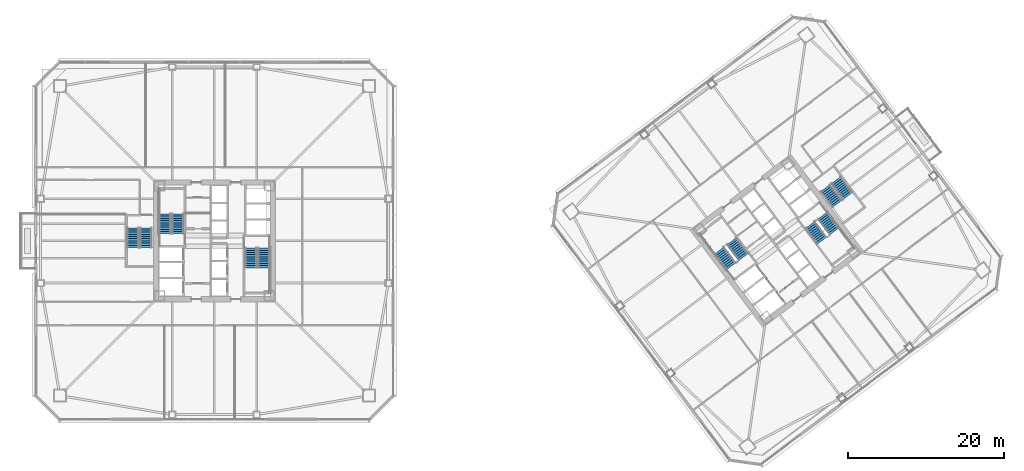
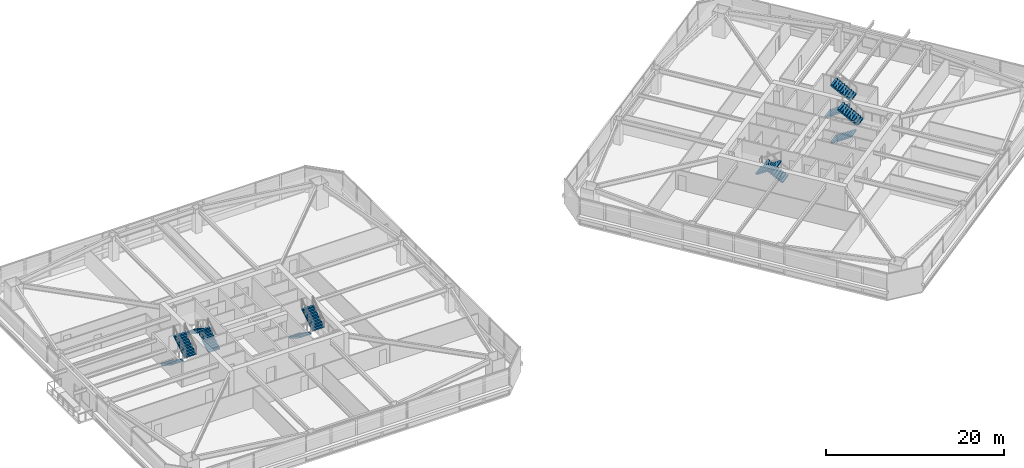
# One storey, part 39 of 47: 12 stair flights, 6 elements without a shape of their own.
"""IFC4 building model written with IfcOpenShell, lengths in metres."""

from ifc_helpers import new_model, si_unit, direction, frame, origin, place, context, subcontext, project, spatial, polyline, outline, extrude, material, type_object, element, aggregate, save


model = new_model("IFC4")

# Units and contexts
model_context = context("Model", 3, precision=1e-05, world=origin(), true_north=direction((0.0, 1.0)))
body_context = subcontext(model_context, "Body", "Model", "MODEL_VIEW")
ifc_project = project(units=[si_unit("LENGTHUNIT", "METRE"), si_unit("AREAUNIT", "SQUARE_METRE"), si_unit("VOLUMEUNIT", "CUBIC_METRE"), si_unit("PLANEANGLEUNIT", "RADIAN"), si_unit("MASSUNIT", "GRAM", prefix="KILO")], contexts=[model_context])

# Site, building, storey
site_placement = place(None, origin())
site = spatial("IfcSite", under=ifc_project, at=site_placement, CompositionType="ELEMENT")
building_placement = place(site_placement, origin())
building = spatial("IfcBuilding", under=site, at=building_placement, Name="Tashvorn Skyway Center", CompositionType="ELEMENT")
storey_placement = place(building_placement, frame((0.0, 0.0, 42.35009765625)))
storey = spatial("IfcBuildingStorey", under=building, at=storey_placement, Name="L10", CompositionType="ELEMENT", Elevation=42.35009765625)

# Stair, stair flights
ifc_material = material(Name="Concrete C40/50", Category="concrete")
stair_type = type_object("IfcStairType", Name="STAIR-CORE-1500", PredefinedType="HALF_TURN_STAIR", material=ifc_material)
stair_1_placement = place(storey_placement, origin())
stair_1 = element("IfcStair", 1, at=stair_1_placement, inside=storey, type_object=stair_type, Name="L10 Tower 1 Exit Stair 1", PredefinedType="HALF_TURN_STAIR")
stair_flight_type = type_object("IfcStairFlightType", Name="SFLIGHT-1500", PredefinedType="STRAIGHT", material=ifc_material)
stair_flight_1_placement = place(storey_placement, frame((37.35009765625, 32.919921875, 0.0), z_axis=(0.0, 0.0, 1.0), x_axis=(0.0, 1.0, 0.0)))
stair_flight_1 = element("IfcStairFlight", 2, at=stair_flight_1_placement, type_object=stair_flight_type, Name="ST-T1-1 flight 1", NumberOfRisers=10, NumberOfTreads=9, PredefinedType="STRAIGHT", RiserHeight=0.1775, TreadLength=0.28, context=body_context, shape_type="SweptSolid", body=[
    extrude(outline(polyline([(0.0, 0.0), (0.0, 0.177490234375), (0.280029296875, 0.177490234375), (0.280029296875, 0.35498046875), (0.56005859375, 0.35498046875), (0.56005859375, 0.532470703125), (0.840087890625, 0.532470703125), (0.840087890625, 0.7099609375), (1.1201171875, 0.7099609375), (1.1201171875, 0.887451171875), (1.39990234375, 0.887451171875), (1.39990234375, 1.06494140625), (1.679931640625, 1.06494140625), (1.679931640625, 1.242431640625), (1.9599609375, 1.242431640625), (1.9599609375, 1.419921875), (2.239990234375, 1.419921875), (2.239990234375, 1.597412109375), (2.52001953125, 1.597412109375), (2.52001953125, 1.77490234375), (2.52001953125, 1.419921875), (0.280029296875, 0.0), (0.0, 0.0)])), frame((0.0, 0.75, 0.0), z_axis=(0.0, -1.0, 0.0), x_axis=(1.0, 0.0, 0.0)), (0.0, 0.0, 1.0), 1.5),
])
stair_flight_2_placement = place(storey_placement, frame((35.64990234375, 35.43994140625, 1.77490234375), z_axis=(0.0, 0.0, 1.0), x_axis=(0.0, -1.0, 0.0)))
stair_flight_2 = element("IfcStairFlight", 3, at=stair_flight_2_placement, type_object=stair_flight_type, Name="ST-T1-1 flight 2", NumberOfRisers=10, NumberOfTreads=9, PredefinedType="STRAIGHT", RiserHeight=0.1775, TreadLength=0.28, context=body_context, shape_type="SweptSolid", body=[
    extrude(outline(polyline([(0.0, 0.0), (0.0, 0.177490234375), (0.280029296875, 0.177490234375), (0.280029296875, 0.35498046875), (0.56005859375, 0.35498046875), (0.56005859375, 0.532470703125), (0.840087890625, 0.532470703125), (0.840087890625, 0.7099609375), (1.1201171875, 0.7099609375), (1.1201171875, 0.887451171875), (1.39990234375, 0.887451171875), (1.39990234375, 1.06494140625), (1.679931640625, 1.06494140625), (1.679931640625, 1.242431640625), (1.9599609375, 1.242431640625), (1.9599609375, 1.419921875), (2.239990234375, 1.419921875), (2.239990234375, 1.597412109375), (2.52001953125, 1.597412109375), (2.52001953125, 1.77490234375), (2.52001953125, 1.419921875), (0.280029296875, 0.0), (0.0, 0.0)])), frame((0.0, 0.75, 0.0), z_axis=(0.0, -1.0, 0.0), x_axis=(1.0, 0.0, 0.0)), (0.0, 0.0, 1.0), 1.5),
])
aggregate(stair_1, [stair_flight_1, stair_flight_2])

stair_2_placement = place(storey_placement, origin())
stair_2 = element("IfcStair", 4, at=stair_2_placement, inside=storey, type_object=stair_type, Name="L10 Tower 1 Exit Stair 2", PredefinedType="HALF_TURN_STAIR")
stair_flight_3_placement = place(storey_placement, frame((46.64990234375, 31.080078125, 0.0), z_axis=(0.0, 0.0, 1.0), x_axis=(0.0, -1.0, 0.0)))
stair_flight_3 = element("IfcStairFlight", 5, at=stair_flight_3_placement, type_object=stair_flight_type, Name="ST-T1-2 flight 1", NumberOfRisers=10, NumberOfTreads=9, PredefinedType="STRAIGHT", RiserHeight=0.1775, TreadLength=0.28, context=body_context, shape_type="SweptSolid", body=[
    extrude(outline(polyline([(0.0, 0.0), (0.0, 0.177490234375), (0.280029296875, 0.177490234375), (0.280029296875, 0.35498046875), (0.56005859375, 0.35498046875), (0.56005859375, 0.532470703125), (0.840087890625, 0.532470703125), (0.840087890625, 0.7099609375), (1.1201171875, 0.7099609375), (1.1201171875, 0.887451171875), (1.39990234375, 0.887451171875), (1.39990234375, 1.06494140625), (1.679931640625, 1.06494140625), (1.679931640625, 1.242431640625), (1.9599609375, 1.242431640625), (1.9599609375, 1.419921875), (2.239990234375, 1.419921875), (2.239990234375, 1.597412109375), (2.52001953125, 1.597412109375), (2.52001953125, 1.77490234375), (2.52001953125, 1.419921875), (0.280029296875, 0.0), (0.0, 0.0)])), frame((0.0, 0.75, 0.0), z_axis=(0.0, -1.0, 0.0), x_axis=(1.0, 0.0, 0.0)), (0.0, 0.0, 1.0), 1.5),
])
stair_flight_4_placement = place(storey_placement, frame((48.35009765625, 28.56005859375, 1.77490234375), z_axis=(0.0, 0.0, 1.0), x_axis=(0.0, 1.0, 0.0)))
stair_flight_4 = element("IfcStairFlight", 6, at=stair_flight_4_placement, type_object=stair_flight_type, Name="ST-T1-2 flight 2", NumberOfRisers=10, NumberOfTreads=9, PredefinedType="STRAIGHT", RiserHeight=0.1775, TreadLength=0.28, context=body_context, shape_type="SweptSolid", body=[
    extrude(outline(polyline([(0.0, 0.0), (0.0, 0.177490234375), (0.280029296875, 0.177490234375), (0.280029296875, 0.35498046875), (0.56005859375, 0.35498046875), (0.56005859375, 0.532470703125), (0.840087890625, 0.532470703125), (0.840087890625, 0.7099609375), (1.1201171875, 0.7099609375), (1.1201171875, 0.887451171875), (1.39990234375, 0.887451171875), (1.39990234375, 1.06494140625), (1.679931640625, 1.06494140625), (1.679931640625, 1.242431640625), (1.9599609375, 1.242431640625), (1.9599609375, 1.419921875), (2.239990234375, 1.419921875), (2.239990234375, 1.597412109375), (2.52001953125, 1.597412109375), (2.52001953125, 1.77490234375), (2.52001953125, 1.419921875), (0.280029296875, 0.0), (0.0, 0.0)])), frame((0.0, 0.75, 0.0), z_axis=(0.0, -1.0, 0.0), x_axis=(1.0, 0.0, 0.0)), (0.0, 0.0, 1.0), 1.5),
])
aggregate(stair_2, [stair_flight_3, stair_flight_4])

stair_3_placement = place(storey_placement, origin())
stair_3 = element("IfcStair", 7, at=stair_3_placement, inside=storey, type_object=stair_type, Name="L10 Tower 2 Exit Stair 1", PredefinedType="HALF_TURN_STAIR")
stair_flight_5_placement = place(storey_placement, frame((109.72802734375, 29.946044921875, 0.0), z_axis=(0.0, 0.0, 1.0), x_axis=(-0.600000004945, 0.799999996291, 0.0)))
stair_flight_5 = element("IfcStairFlight", 8, at=stair_flight_5_placement, type_object=stair_flight_type, Name="ST-T2-1 flight 1", NumberOfRisers=10, NumberOfTreads=9, PredefinedType="STRAIGHT", RiserHeight=0.1775, TreadLength=0.28, context=body_context, shape_type="SweptSolid", body=[
    extrude(outline(polyline([(0.0, 0.0), (0.0, 0.177490234375), (0.280029296875, 0.177490234375), (0.280029296875, 0.35498046875), (0.56005859375, 0.35498046875), (0.56005859375, 0.532470703125), (0.840087890625, 0.532470703125), (0.840087890625, 0.7099609375), (1.1201171875, 0.7099609375), (1.1201171875, 0.887451171875), (1.39990234375, 0.887451171875), (1.39990234375, 1.06494140625), (1.679931640625, 1.06494140625), (1.679931640625, 1.242431640625), (1.9599609375, 1.242431640625), (1.9599609375, 1.419921875), (2.239990234375, 1.419921875), (2.239990234375, 1.597412109375), (2.52001953125, 1.597412109375), (2.52001953125, 1.77490234375), (2.52001953125, 1.419921875), (0.280029296875, 0.0), (0.0, 0.0)])), frame((0.0, 0.75, 0.0), z_axis=(0.0, -1.0, 0.0), x_axis=(1.0, 0.0, 0.0)), (0.0, 0.0, 1.0), 1.5),
])
stair_flight_6_placement = place(storey_placement, frame((106.632080078125, 30.77392578125, 1.77490234375), z_axis=(0.0, 0.0, 1.0), x_axis=(0.600000004945, -0.799999996291, 0.0)))
stair_flight_6 = element("IfcStairFlight", 9, at=stair_flight_6_placement, type_object=stair_flight_type, Name="ST-T2-1 flight 2", NumberOfRisers=10, NumberOfTreads=9, PredefinedType="STRAIGHT", RiserHeight=0.1775, TreadLength=0.28, context=body_context, shape_type="SweptSolid", body=[
    extrude(outline(polyline([(0.0, 0.0), (0.0, 0.177490234375), (0.280029296875, 0.177490234375), (0.280029296875, 0.35498046875), (0.56005859375, 0.35498046875), (0.56005859375, 0.532470703125), (0.840087890625, 0.532470703125), (0.840087890625, 0.7099609375), (1.1201171875, 0.7099609375), (1.1201171875, 0.887451171875), (1.39990234375, 0.887451171875), (1.39990234375, 1.06494140625), (1.679931640625, 1.06494140625), (1.679931640625, 1.242431640625), (1.9599609375, 1.242431640625), (1.9599609375, 1.419921875), (2.239990234375, 1.419921875), (2.239990234375, 1.597412109375), (2.52001953125, 1.597412109375), (2.52001953125, 1.77490234375), (2.52001953125, 1.419921875), (0.280029296875, 0.0), (0.0, 0.0)])), frame((0.0, 0.75, 0.0), z_axis=(0.0, -1.0, 0.0), x_axis=(1.0, 0.0, 0.0)), (0.0, 0.0, 1.0), 1.5),
])
aggregate(stair_3, [stair_flight_5, stair_flight_6])

stair_4_placement = place(storey_placement, origin())
stair_4 = element("IfcStair", 10, at=stair_4_placement, inside=storey, type_object=stair_type, Name="L10 Tower 2 Exit Stair 2", PredefinedType="HALF_TURN_STAIR")
stair_flight_7_placement = place(storey_placement, frame((118.27197265625, 34.053955078125, 0.0), z_axis=(0.0, 0.0, 1.0), x_axis=(0.600000004945, -0.799999996291, 0.0)))
stair_flight_7 = element("IfcStairFlight", 11, at=stair_flight_7_placement, type_object=stair_flight_type, Name="ST-T2-2 flight 1", NumberOfRisers=10, NumberOfTreads=9, PredefinedType="STRAIGHT", RiserHeight=0.1775, TreadLength=0.28, context=body_context, shape_type="SweptSolid", body=[
    extrude(outline(polyline([(0.0, 0.0), (0.0, 0.177490234375), (0.280029296875, 0.177490234375), (0.280029296875, 0.35498046875), (0.56005859375, 0.35498046875), (0.56005859375, 0.532470703125), (0.840087890625, 0.532470703125), (0.840087890625, 0.7099609375), (1.1201171875, 0.7099609375), (1.1201171875, 0.887451171875), (1.39990234375, 0.887451171875), (1.39990234375, 1.06494140625), (1.679931640625, 1.06494140625), (1.679931640625, 1.242431640625), (1.9599609375, 1.242431640625), (1.9599609375, 1.419921875), (2.239990234375, 1.419921875), (2.239990234375, 1.597412109375), (2.52001953125, 1.597412109375), (2.52001953125, 1.77490234375), (2.52001953125, 1.419921875), (0.280029296875, 0.0), (0.0, 0.0)])), frame((0.0, 0.75, 0.0), z_axis=(0.0, -1.0, 0.0), x_axis=(1.0, 0.0, 0.0)), (0.0, 0.0, 1.0), 1.5),
])
stair_flight_8_placement = place(storey_placement, frame((121.367919921875, 33.22607421875, 1.77490234375), z_axis=(0.0, 0.0, 1.0), x_axis=(-0.600000004945, 0.799999996291, 0.0)))
stair_flight_8 = element("IfcStairFlight", 12, at=stair_flight_8_placement, type_object=stair_flight_type, Name="ST-T2-2 flight 2", NumberOfRisers=10, NumberOfTreads=9, PredefinedType="STRAIGHT", RiserHeight=0.1775, TreadLength=0.28, context=body_context, shape_type="SweptSolid", body=[
    extrude(outline(polyline([(0.0, 0.0), (0.0, 0.177490234375), (0.280029296875, 0.177490234375), (0.280029296875, 0.35498046875), (0.56005859375, 0.35498046875), (0.56005859375, 0.532470703125), (0.840087890625, 0.532470703125), (0.840087890625, 0.7099609375), (1.1201171875, 0.7099609375), (1.1201171875, 0.887451171875), (1.39990234375, 0.887451171875), (1.39990234375, 1.06494140625), (1.679931640625, 1.06494140625), (1.679931640625, 1.242431640625), (1.9599609375, 1.242431640625), (1.9599609375, 1.419921875), (2.239990234375, 1.419921875), (2.239990234375, 1.597412109375), (2.52001953125, 1.597412109375), (2.52001953125, 1.77490234375), (2.52001953125, 1.419921875), (0.280029296875, 0.0), (0.0, 0.0)])), frame((0.0, 0.75, 0.0), z_axis=(0.0, -1.0, 0.0), x_axis=(1.0, 0.0, 0.0)), (0.0, 0.0, 1.0), 1.5),
])
aggregate(stair_4, [stair_flight_7, stair_flight_8])

stair_5_placement = place(storey_placement, origin())
stair_5 = element("IfcStair", 13, at=stair_5_placement, inside=storey, type_object=stair_type, Name="L10 Tower 1 Exit Stair 3", PredefinedType="HALF_TURN_STAIR")
stair_flight_9_placement = place(storey_placement, frame((31.550048828125, 33.679931640625, 0.0), z_axis=(0.0, 0.0, 1.0), x_axis=(0.0, -1.0, 0.0)))
stair_flight_9 = element("IfcStairFlight", 14, at=stair_flight_9_placement, type_object=stair_flight_type, Name="ST-T1-3 flight 1", NumberOfRisers=10, NumberOfTreads=9, PredefinedType="STRAIGHT", RiserHeight=0.1775, TreadLength=0.28, context=body_context, shape_type="SweptSolid", body=[
    extrude(outline(polyline([(0.0, 0.0), (0.0, 0.177490234375), (0.280029296875, 0.177490234375), (0.280029296875, 0.35498046875), (0.56005859375, 0.35498046875), (0.56005859375, 0.532470703125), (0.840087890625, 0.532470703125), (0.840087890625, 0.7099609375), (1.1201171875, 0.7099609375), (1.1201171875, 0.887451171875), (1.39990234375, 0.887451171875), (1.39990234375, 1.06494140625), (1.679931640625, 1.06494140625), (1.679931640625, 1.242431640625), (1.9599609375, 1.242431640625), (1.9599609375, 1.419921875), (2.239990234375, 1.419921875), (2.239990234375, 1.597412109375), (2.52001953125, 1.597412109375), (2.52001953125, 1.77490234375), (2.52001953125, 1.419921875), (0.280029296875, 0.0), (0.0, 0.0)])), frame((0.0, 0.75, 0.0), z_axis=(0.0, -1.0, 0.0), x_axis=(1.0, 0.0, 0.0)), (0.0, 0.0, 1.0), 1.5),
])
stair_flight_10_placement = place(storey_placement, frame((33.25, 31.159912109375, 1.77490234375), z_axis=(0.0, 0.0, 1.0), x_axis=(0.0, 1.0, 0.0)))
stair_flight_10 = element("IfcStairFlight", 15, at=stair_flight_10_placement, type_object=stair_flight_type, Name="ST-T1-3 flight 2", NumberOfRisers=10, NumberOfTreads=9, PredefinedType="STRAIGHT", RiserHeight=0.1775, TreadLength=0.28, context=body_context, shape_type="SweptSolid", body=[
    extrude(outline(polyline([(0.0, 0.0), (0.0, 0.177490234375), (0.280029296875, 0.177490234375), (0.280029296875, 0.35498046875), (0.56005859375, 0.35498046875), (0.56005859375, 0.532470703125), (0.840087890625, 0.532470703125), (0.840087890625, 0.7099609375), (1.1201171875, 0.7099609375), (1.1201171875, 0.887451171875), (1.39990234375, 0.887451171875), (1.39990234375, 1.06494140625), (1.679931640625, 1.06494140625), (1.679931640625, 1.242431640625), (1.9599609375, 1.242431640625), (1.9599609375, 1.419921875), (2.239990234375, 1.419921875), (2.239990234375, 1.597412109375), (2.52001953125, 1.597412109375), (2.52001953125, 1.77490234375), (2.52001953125, 1.419921875), (0.280029296875, 0.0), (0.0, 0.0)])), frame((0.0, 0.75, 0.0), z_axis=(0.0, -1.0, 0.0), x_axis=(1.0, 0.0, 0.0)), (0.0, 0.0, 1.0), 1.5),
])
aggregate(stair_5, [stair_flight_9, stair_flight_10])

stair_6_placement = place(storey_placement, origin())
stair_6 = element("IfcStair", 16, at=stair_6_placement, inside=storey, type_object=stair_type, Name="L10 Tower 2 Exit Stair 3", PredefinedType="HALF_TURN_STAIR")
stair_flight_11_placement = place(storey_placement, frame((120.216064453125, 38.761962890625, 0.0), z_axis=(0.0, 0.0, 1.0), x_axis=(0.600000004945, -0.799999996291, 0.0)))
stair_flight_11 = element("IfcStairFlight", 17, at=stair_flight_11_placement, type_object=stair_flight_type, Name="ST-T2-3 flight 1", NumberOfRisers=10, NumberOfTreads=9, PredefinedType="STRAIGHT", RiserHeight=0.1775, TreadLength=0.28, context=body_context, shape_type="SweptSolid", body=[
    extrude(outline(polyline([(0.0, 0.0), (0.0, 0.177490234375), (0.280029296875, 0.177490234375), (0.280029296875, 0.35498046875), (0.56005859375, 0.35498046875), (0.56005859375, 0.532470703125), (0.840087890625, 0.532470703125), (0.840087890625, 0.7099609375), (1.1201171875, 0.7099609375), (1.1201171875, 0.887451171875), (1.39990234375, 0.887451171875), (1.39990234375, 1.06494140625), (1.679931640625, 1.06494140625), (1.679931640625, 1.242431640625), (1.9599609375, 1.242431640625), (1.9599609375, 1.419921875), (2.239990234375, 1.419921875), (2.239990234375, 1.597412109375), (2.52001953125, 1.597412109375), (2.52001953125, 1.77490234375), (2.52001953125, 1.419921875), (0.280029296875, 0.0), (0.0, 0.0)])), frame((0.0, 0.75, 0.0), z_axis=(0.0, -1.0, 0.0), x_axis=(1.0, 0.0, 0.0)), (0.0, 0.0, 1.0), 1.5),
])
stair_flight_12_placement = place(storey_placement, frame((123.087890625, 37.76611328125, 1.77490234375), z_axis=(0.0, 0.0, 1.0), x_axis=(-0.600000004945, 0.799999996291, 0.0)))
stair_flight_12 = element("IfcStairFlight", 18, at=stair_flight_12_placement, type_object=stair_flight_type, Name="ST-T2-3 flight 2", NumberOfRisers=10, NumberOfTreads=9, PredefinedType="STRAIGHT", RiserHeight=0.1775, TreadLength=0.28, context=body_context, shape_type="SweptSolid", body=[
    extrude(outline(polyline([(0.0, 0.0), (0.0, 0.177490234375), (0.280029296875, 0.177490234375), (0.280029296875, 0.35498046875), (0.56005859375, 0.35498046875), (0.56005859375, 0.532470703125), (0.840087890625, 0.532470703125), (0.840087890625, 0.7099609375), (1.1201171875, 0.7099609375), (1.1201171875, 0.887451171875), (1.39990234375, 0.887451171875), (1.39990234375, 1.06494140625), (1.679931640625, 1.06494140625), (1.679931640625, 1.242431640625), (1.9599609375, 1.242431640625), (1.9599609375, 1.419921875), (2.239990234375, 1.419921875), (2.239990234375, 1.597412109375), (2.52001953125, 1.597412109375), (2.52001953125, 1.77490234375), (2.52001953125, 1.419921875), (0.280029296875, 0.0), (0.0, 0.0)])), frame((0.0, 0.75, 0.0), z_axis=(0.0, -1.0, 0.0), x_axis=(1.0, 0.0, 0.0)), (0.0, 0.0, 1.0), 1.5),
])
aggregate(stair_6, [stair_flight_11, stair_flight_12])

save(model, "model.ifc")
